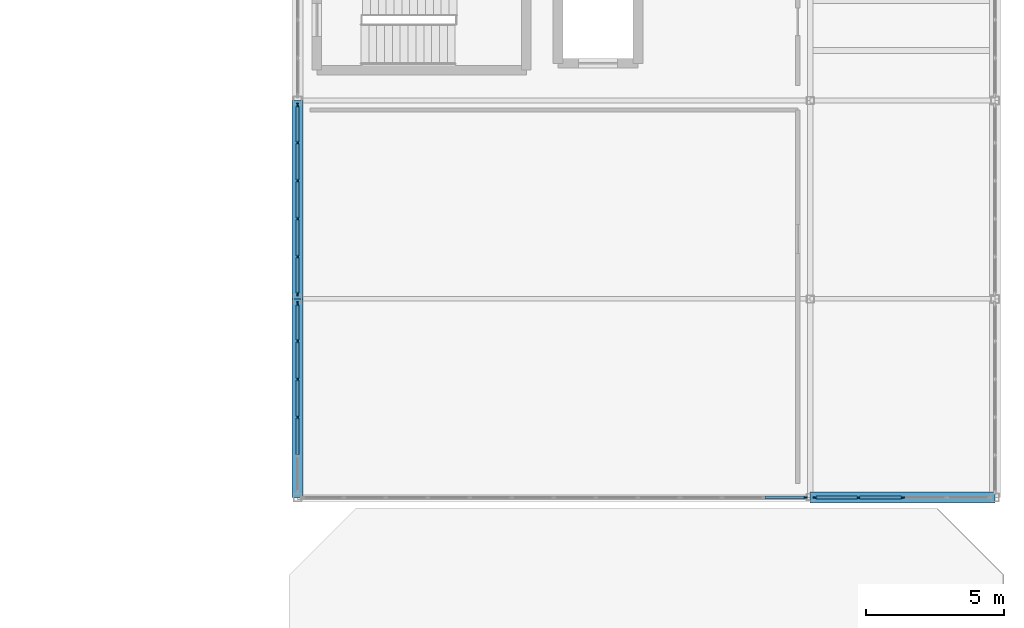
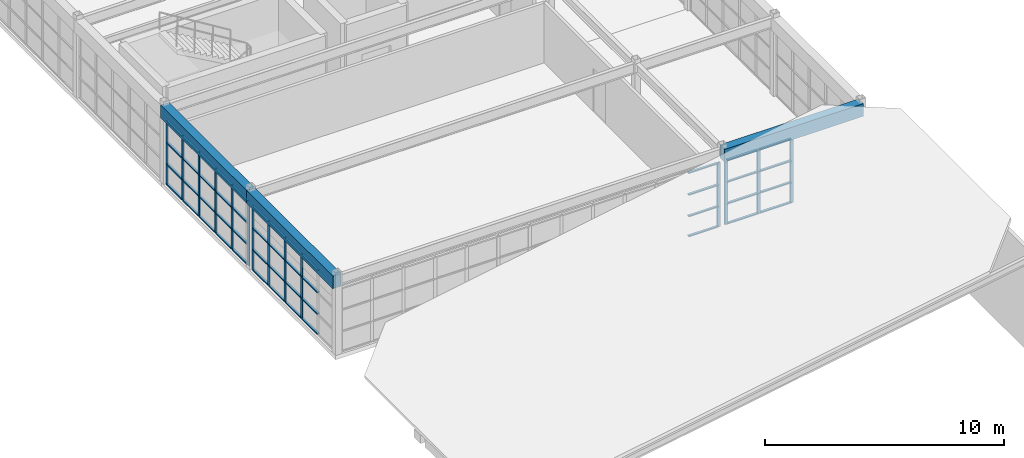
# One storey, part 27 of 52: 62 members, 3 beams, 4 elements without a shape of their own.
"""IFC4 building model written with IfcOpenShell, lengths in metres."""

from ifc_helpers import new_model, si_unit, direction, frame, origin, origin_2d, place, context, subcontext, project, spatial, rectangle, extrude, material, layer, layer_set, material_profile, profile_set, type_object, element, aggregate, save


model = new_model("IFC4")

# Units and contexts
model_context = context("Model", 3, precision=1e-05, world=origin(), true_north=direction((0.0, 1.0)))
body_context = subcontext(model_context, "Body", "Model", "MODEL_VIEW")
ifc_project = project(units=[si_unit("LENGTHUNIT", "METRE"), si_unit("AREAUNIT", "SQUARE_METRE"), si_unit("VOLUMEUNIT", "CUBIC_METRE"), si_unit("PLANEANGLEUNIT", "RADIAN"), si_unit("MASSUNIT", "GRAM", prefix="KILO")], contexts=[model_context])

# Site, building, storey
site_placement = place(None, origin())
site = spatial("IfcSite", under=ifc_project, at=site_placement, CompositionType="ELEMENT")
building_placement = place(site_placement, origin())
building = spatial("IfcBuilding", under=site, at=building_placement, Name="Candilejo Ridge Gondola Terminal", CompositionType="ELEMENT")
storey_placement = place(building_placement, frame((0.0, 0.0, 18.60009765625)))
storey = spatial("IfcBuildingStorey", under=building, at=storey_placement, Name="L04", CompositionType="ELEMENT", Elevation=18.60009765625)

# Curtain wall, members
ifc_material_1 = material(Name="Anodised aluminium AA 6063-T6", Category="aluminium")
ifc_layer_1 = layer(ifc_material_1, 0.169921875)
ifc_layer_set_1 = layer_set([ifc_layer_1], Name="ARC-CW-TOWER-3000-690X329")
curtain_wall_type_1 = type_object("IfcCurtainWallType", Name="ARC-CW-TOWER-3000-690X329", PredefinedType="NOTDEFINED", material=ifc_layer_set_1)
curtain_wall_1_placement = place(storey_placement, origin())
curtain_wall_1 = element("IfcCurtainWall", 1, at=curtain_wall_1_placement, inside=storey, type_object=curtain_wall_type_1, Name="Curtain wall V5 L04-212", PredefinedType="NOTDEFINED")
ifc_material_2 = material(Name="Anodised aluminium AA 6063-T6", Category="aluminium")
ifc_material_profile_1 = material_profile(ifc_material_2, rectangle(XDim=0.06494140625, YDim=0.14990234375, at=origin_2d()))
ifc_profile_set_1 = profile_set([ifc_material_profile_1], Name="Anodised aluminium AA 6063-T6")
member_type_1 = type_object("IfcMemberType", Name="ARC-CW-MULLION-150", PredefinedType="MULLION", material=ifc_profile_set_1)
member_1_placement = place(storey_placement, frame((150.0, 87.56005859375, 0.0), z_axis=(0.0, 0.0, 1.0), x_axis=(-1.0, 0.0, 0.0)))
member_1 = element("IfcMember", 2, at=member_1_placement, type_object=member_type_1, Name="CW-69X32 mullion 3", PredefinedType="MULLION", context=body_context, shape_type="SweptSolid", body=[
    extrude(rectangle(XDim=0.06494140625, YDim=0.14990234375, at=origin_2d()), origin(), (0.0, 0.0, 1.0), 3.289794921875),
])
member_2_placement = place(storey_placement, frame((150.0, 88.93994140625, 0.0), z_axis=(0.0, 0.0, 1.0), x_axis=(-1.0, 0.0, 0.0)))
member_2 = element("IfcMember", 3, at=member_2_placement, type_object=member_type_1, Name="CW-69X32 mullion 4", PredefinedType="MULLION", context=body_context, shape_type="SweptSolid", body=[
    extrude(rectangle(XDim=0.06494140625, YDim=0.14990234375, at=origin_2d()), origin(), (0.0, 0.0, 1.0), 3.289794921875),
])
member_3_placement = place(storey_placement, frame((150.0, 90.320068359375, 0.0), z_axis=(0.0, 0.0, 1.0), x_axis=(-1.0, 0.0, 0.0)))
member_3 = element("IfcMember", 4, at=member_3_placement, type_object=member_type_1, Name="CW-69X32 mullion 5", PredefinedType="MULLION", context=body_context, shape_type="SweptSolid", body=[
    extrude(rectangle(XDim=0.06494140625, YDim=0.14990234375, at=origin_2d()), origin(), (0.0, 0.0, 1.0), 3.289794921875),
])
member_4_placement = place(storey_placement, frame((150.0, 91.66748046875, 0.0), z_axis=(0.0, 0.0, 1.0), x_axis=(-1.0, 0.0, 0.0)))
member_4 = element("IfcMember", 5, at=member_4_placement, type_object=member_type_1, Name="CW-69X32 mullion 6", PredefinedType="MULLION", context=body_context, shape_type="SweptSolid", body=[
    extrude(rectangle(XDim=0.06494140625, YDim=0.14990234375, at=origin_2d()), origin(), (0.0, 0.0, 1.0), 3.289794921875),
])

curtain_wall_2_placement = place(storey_placement, origin())
curtain_wall_2 = element("IfcCurtainWall", 6, at=curtain_wall_2_placement, inside=storey, type_object=curtain_wall_type_1, Name="Curtain wall V5 L04-214", PredefinedType="NOTDEFINED")
member_5_placement = place(storey_placement, frame((150.0, 92.032470703125, 0.0), z_axis=(0.0, 0.0, 1.0), x_axis=(-1.0, 0.0, 0.0)))
member_5 = element("IfcMember", 7, at=member_5_placement, type_object=member_type_1, Name="CW-69X32 mullion 1", PredefinedType="MULLION", context=body_context, shape_type="SweptSolid", body=[
    extrude(rectangle(XDim=0.06494140625, YDim=0.14990234375, at=origin_2d()), origin(), (0.0, 0.0, 1.0), 3.289794921875),
])
member_6_placement = place(storey_placement, frame((150.0, 93.3798828125, 0.0), z_axis=(0.0, 0.0, 1.0), x_axis=(-1.0, 0.0, 0.0)))
member_6 = element("IfcMember", 8, at=member_6_placement, type_object=member_type_1, Name="CW-69X32 mullion 2", PredefinedType="MULLION", context=body_context, shape_type="SweptSolid", body=[
    extrude(rectangle(XDim=0.06494140625, YDim=0.14990234375, at=origin_2d()), origin(), (0.0, 0.0, 1.0), 3.289794921875),
])
member_7_placement = place(storey_placement, frame((150.0, 94.760009765625, 0.0), z_axis=(0.0, 0.0, 1.0), x_axis=(-1.0, 0.0, 0.0)))
member_7 = element("IfcMember", 9, at=member_7_placement, type_object=member_type_1, Name="CW-69X32 mullion 3", PredefinedType="MULLION", context=body_context, shape_type="SweptSolid", body=[
    extrude(rectangle(XDim=0.06494140625, YDim=0.14990234375, at=origin_2d()), origin(), (0.0, 0.0, 1.0), 3.289794921875),
])
member_8_placement = place(storey_placement, frame((150.0, 96.139892578125, 0.0), z_axis=(0.0, 0.0, 1.0), x_axis=(-1.0, 0.0, 0.0)))
member_8 = element("IfcMember", 10, at=member_8_placement, type_object=member_type_1, Name="CW-69X32 mullion 4", PredefinedType="MULLION", context=body_context, shape_type="SweptSolid", body=[
    extrude(rectangle(XDim=0.06494140625, YDim=0.14990234375, at=origin_2d()), origin(), (0.0, 0.0, 1.0), 3.289794921875),
])
member_9_placement = place(storey_placement, frame((150.0, 97.52001953125, 0.0), z_axis=(0.0, 0.0, 1.0), x_axis=(-1.0, 0.0, 0.0)))
member_9 = element("IfcMember", 11, at=member_9_placement, type_object=member_type_1, Name="CW-69X32 mullion 5", PredefinedType="MULLION", context=body_context, shape_type="SweptSolid", body=[
    extrude(rectangle(XDim=0.06494140625, YDim=0.14990234375, at=origin_2d()), origin(), (0.0, 0.0, 1.0), 3.289794921875),
])
member_10_placement = place(storey_placement, frame((150.0, 98.867431640625, 0.0), z_axis=(0.0, 0.0, 1.0), x_axis=(-1.0, 0.0, 0.0)))
member_10 = element("IfcMember", 12, at=member_10_placement, type_object=member_type_1, Name="CW-69X32 mullion 6", PredefinedType="MULLION", context=body_context, shape_type="SweptSolid", body=[
    extrude(rectangle(XDim=0.06494140625, YDim=0.14990234375, at=origin_2d()), origin(), (0.0, 0.0, 1.0), 3.289794921875),
])

# Curtain wall, member
ifc_material_3 = material(Name="Anodised aluminium AA 6063-T6", Category="aluminium")
ifc_layer_2 = layer(ifc_material_3, 0.169921875)
ifc_layer_set_2 = layer_set([ifc_layer_2], Name="ARC-CW-TOWER-3000-1830X329")
curtain_wall_type_2 = type_object("IfcCurtainWallType", Name="ARC-CW-TOWER-3000-1830X329", PredefinedType="NOTDEFINED", material=ifc_layer_set_2)
curtain_wall_3_placement = place(storey_placement, origin())
curtain_wall_3 = element("IfcCurtainWall", 13, at=curtain_wall_3_placement, inside=storey, type_object=curtain_wall_type_2, Name="Curtain wall V5 L04-222", PredefinedType="NOTDEFINED")
member_11_placement = place(storey_placement, frame((168.41748046875, 84.64990234375, 0.0), z_axis=(0.0, 0.0, 1.0), x_axis=(0.0, 1.0, 0.0)))
member_11 = element("IfcMember", 14, at=member_11_placement, type_object=member_type_1, Name="CW-183X32 mullion 13", PredefinedType="MULLION", context=body_context, shape_type="SweptSolid", body=[
    extrude(rectangle(XDim=0.06494140625, YDim=0.14990234375, at=origin_2d()), origin(), (0.0, 0.0, 1.0), 3.289794921875),
])

# Curtain wall, members
ifc_material_4 = material(Name="Anodised aluminium AA 6063-T6", Category="aluminium")
ifc_layer_3 = layer(ifc_material_4, 0.169921875)
ifc_layer_set_3 = layer_set([ifc_layer_3], Name="ARC-CW-TOWER-3000-640X329")
curtain_wall_type_3 = type_object("IfcCurtainWallType", Name="ARC-CW-TOWER-3000-640X329", PredefinedType="NOTDEFINED", material=ifc_layer_set_3)
curtain_wall_4_placement = place(storey_placement, origin())
curtain_wall_4 = element("IfcCurtainWall", 15, at=curtain_wall_4_placement, inside=storey, type_object=curtain_wall_type_3, Name="Curtain wall V5 L04-224", PredefinedType="NOTDEFINED")
member_12_placement = place(storey_placement, frame((168.782470703125, 84.64990234375, 0.0), z_axis=(0.0, 0.0, 1.0), x_axis=(0.0, 1.0, 0.0)))
member_12 = element("IfcMember", 16, at=member_12_placement, type_object=member_type_1, Name="CW-64X32 mullion 1", PredefinedType="MULLION", context=body_context, shape_type="SweptSolid", body=[
    extrude(rectangle(XDim=0.06494140625, YDim=0.14990234375, at=origin_2d()), origin(), (0.0, 0.0, 1.0), 3.289794921875),
])
member_13_placement = place(storey_placement, frame((170.35009765625, 84.64990234375, 0.0), z_axis=(0.0, 0.0, 1.0), x_axis=(0.0, 1.0, 0.0)))
member_13 = element("IfcMember", 17, at=member_13_placement, type_object=member_type_1, Name="CW-64X32 mullion 2", PredefinedType="MULLION", context=body_context, shape_type="SweptSolid", body=[
    extrude(rectangle(XDim=0.06494140625, YDim=0.14990234375, at=origin_2d()), origin(), (0.0, 0.0, 1.0), 3.289794921875),
])
member_14_placement = place(storey_placement, frame((171.949951171875, 84.64990234375, 0.0), z_axis=(0.0, 0.0, 1.0), x_axis=(0.0, 1.0, 0.0)))
member_14 = element("IfcMember", 18, at=member_14_placement, type_object=member_type_1, Name="CW-64X32 mullion 3", PredefinedType="MULLION", context=body_context, shape_type="SweptSolid", body=[
    extrude(rectangle(XDim=0.06494140625, YDim=0.14990234375, at=origin_2d()), origin(), (0.0, 0.0, 1.0), 3.289794921875),
])

# Member
ifc_material_5 = material(Name="Anodised aluminium AA 6063-T6", Category="aluminium")
ifc_material_profile_2 = material_profile(ifc_material_5, rectangle(XDim=0.110107421875, YDim=0.06005859375, at=origin_2d()))
ifc_profile_set_2 = profile_set([ifc_material_profile_2], Name="Anodised aluminium AA 6063-T6")
member_type_2 = type_object("IfcMemberType", Name="ARC-CW-TRANSOM-110", PredefinedType="USERDEFINED", material=ifc_profile_set_2)
member_15_placement = place(storey_placement, frame((150.0, 86.21240234375, 0.02978515625), z_axis=(0.0, 1.0, 0.0), x_axis=(-1.0, 0.0, 0.0)))
member_15 = element("IfcMember", 19, at=member_15_placement, type_object=member_type_2, Name="CW-69X32 transom 2.1", ObjectType="TRANSOM", PredefinedType="USERDEFINED", context=body_context, shape_type="SweptSolid", body=[
    extrude(rectangle(XDim=0.110107421875, YDim=0.06005859375, at=origin_2d()), origin(), (0.0, 0.0, 1.0), 1.315185546875),
])

member_16_placement = place(storey_placement, frame((150.0, 86.21240234375, 1.0498046875), z_axis=(0.0, 1.0, 0.0), x_axis=(-1.0, 0.0, 0.0)))
member_16 = element("IfcMember", 20, at=member_16_placement, type_object=member_type_2, Name="CW-69X32 transom 2.2", ObjectType="TRANSOM", PredefinedType="USERDEFINED", context=body_context, shape_type="SweptSolid", body=[
    extrude(rectangle(XDim=0.110107421875, YDim=0.06005859375, at=origin_2d()), origin(), (0.0, 0.0, 1.0), 1.315185546875),
])

member_17_placement = place(storey_placement, frame((150.0, 86.21240234375, 2.14990234375), z_axis=(0.0, 1.0, 0.0), x_axis=(-1.0, 0.0, 0.0)))
member_17 = element("IfcMember", 21, at=member_17_placement, type_object=member_type_2, Name="CW-69X32 transom 2.3", ObjectType="TRANSOM", PredefinedType="USERDEFINED", context=body_context, shape_type="SweptSolid", body=[
    extrude(rectangle(XDim=0.110107421875, YDim=0.06005859375, at=origin_2d()), origin(), (0.0, 0.0, 1.0), 1.315185546875),
])

member_18_placement = place(storey_placement, frame((150.0, 86.21240234375, 3.260009765625), z_axis=(0.0, 1.0, 0.0), x_axis=(-1.0, 0.0, 0.0)))
member_18 = element("IfcMember", 22, at=member_18_placement, type_object=member_type_2, Name="CW-69X32 transom 2.4", ObjectType="TRANSOM", PredefinedType="USERDEFINED", context=body_context, shape_type="SweptSolid", body=[
    extrude(rectangle(XDim=0.110107421875, YDim=0.06005859375, at=origin_2d()), origin(), (0.0, 0.0, 1.0), 1.315185546875),
])

member_19_placement = place(storey_placement, frame((150.0, 87.592529296875, 0.02978515625), z_axis=(0.0, 1.0, 0.0), x_axis=(-1.0, 0.0, 0.0)))
member_19 = element("IfcMember", 23, at=member_19_placement, type_object=member_type_2, Name="CW-69X32 transom 3.1", ObjectType="TRANSOM", PredefinedType="USERDEFINED", context=body_context, shape_type="SweptSolid", body=[
    extrude(rectangle(XDim=0.110107421875, YDim=0.06005859375, at=origin_2d()), origin(), (0.0, 0.0, 1.0), 1.31494140625),
])

member_20_placement = place(storey_placement, frame((150.0, 87.592529296875, 1.0498046875), z_axis=(0.0, 1.0, 0.0), x_axis=(-1.0, 0.0, 0.0)))
member_20 = element("IfcMember", 24, at=member_20_placement, type_object=member_type_2, Name="CW-69X32 transom 3.2", ObjectType="TRANSOM", PredefinedType="USERDEFINED", context=body_context, shape_type="SweptSolid", body=[
    extrude(rectangle(XDim=0.110107421875, YDim=0.06005859375, at=origin_2d()), origin(), (0.0, 0.0, 1.0), 1.31494140625),
])

member_21_placement = place(storey_placement, frame((150.0, 87.592529296875, 2.14990234375), z_axis=(0.0, 1.0, 0.0), x_axis=(-1.0, 0.0, 0.0)))
member_21 = element("IfcMember", 25, at=member_21_placement, type_object=member_type_2, Name="CW-69X32 transom 3.3", ObjectType="TRANSOM", PredefinedType="USERDEFINED", context=body_context, shape_type="SweptSolid", body=[
    extrude(rectangle(XDim=0.110107421875, YDim=0.06005859375, at=origin_2d()), origin(), (0.0, 0.0, 1.0), 1.31494140625),
])

member_22_placement = place(storey_placement, frame((150.0, 87.592529296875, 3.260009765625), z_axis=(0.0, 1.0, 0.0), x_axis=(-1.0, 0.0, 0.0)))
member_22 = element("IfcMember", 26, at=member_22_placement, type_object=member_type_2, Name="CW-69X32 transom 3.4", ObjectType="TRANSOM", PredefinedType="USERDEFINED", context=body_context, shape_type="SweptSolid", body=[
    extrude(rectangle(XDim=0.110107421875, YDim=0.06005859375, at=origin_2d()), origin(), (0.0, 0.0, 1.0), 1.31494140625),
])

member_23_placement = place(storey_placement, frame((150.0, 88.972412109375, 0.02978515625), z_axis=(0.0, 1.0, 0.0), x_axis=(-1.0, 0.0, 0.0)))
member_23 = element("IfcMember", 27, at=member_23_placement, type_object=member_type_2, Name="CW-69X32 transom 4.1", ObjectType="TRANSOM", PredefinedType="USERDEFINED", context=body_context, shape_type="SweptSolid", body=[
    extrude(rectangle(XDim=0.110107421875, YDim=0.06005859375, at=origin_2d()), origin(), (0.0, 0.0, 1.0), 1.315185546875),
])

member_24_placement = place(storey_placement, frame((150.0, 88.972412109375, 1.0498046875), z_axis=(0.0, 1.0, 0.0), x_axis=(-1.0, 0.0, 0.0)))
member_24 = element("IfcMember", 28, at=member_24_placement, type_object=member_type_2, Name="CW-69X32 transom 4.2", ObjectType="TRANSOM", PredefinedType="USERDEFINED", context=body_context, shape_type="SweptSolid", body=[
    extrude(rectangle(XDim=0.110107421875, YDim=0.06005859375, at=origin_2d()), origin(), (0.0, 0.0, 1.0), 1.315185546875),
])

member_25_placement = place(storey_placement, frame((150.0, 88.972412109375, 2.14990234375), z_axis=(0.0, 1.0, 0.0), x_axis=(-1.0, 0.0, 0.0)))
member_25 = element("IfcMember", 29, at=member_25_placement, type_object=member_type_2, Name="CW-69X32 transom 4.3", ObjectType="TRANSOM", PredefinedType="USERDEFINED", context=body_context, shape_type="SweptSolid", body=[
    extrude(rectangle(XDim=0.110107421875, YDim=0.06005859375, at=origin_2d()), origin(), (0.0, 0.0, 1.0), 1.315185546875),
])

member_26_placement = place(storey_placement, frame((150.0, 88.972412109375, 3.260009765625), z_axis=(0.0, 1.0, 0.0), x_axis=(-1.0, 0.0, 0.0)))
member_26 = element("IfcMember", 30, at=member_26_placement, type_object=member_type_2, Name="CW-69X32 transom 4.4", ObjectType="TRANSOM", PredefinedType="USERDEFINED", context=body_context, shape_type="SweptSolid", body=[
    extrude(rectangle(XDim=0.110107421875, YDim=0.06005859375, at=origin_2d()), origin(), (0.0, 0.0, 1.0), 1.315185546875),
])

member_27_placement = place(storey_placement, frame((150.0, 90.3525390625, 0.02978515625), z_axis=(0.0, 1.0, 0.0), x_axis=(-1.0, 0.0, 0.0)))
member_27 = element("IfcMember", 31, at=member_27_placement, type_object=member_type_2, Name="CW-69X32 transom 5.1", ObjectType="TRANSOM", PredefinedType="USERDEFINED", context=body_context, shape_type="SweptSolid", body=[
    extrude(rectangle(XDim=0.110107421875, YDim=0.06005859375, at=origin_2d()), origin(), (0.0, 0.0, 1.0), 1.282470703125),
])

member_28_placement = place(storey_placement, frame((150.0, 90.3525390625, 1.0498046875), z_axis=(0.0, 1.0, 0.0), x_axis=(-1.0, 0.0, 0.0)))
member_28 = element("IfcMember", 32, at=member_28_placement, type_object=member_type_2, Name="CW-69X32 transom 5.2", ObjectType="TRANSOM", PredefinedType="USERDEFINED", context=body_context, shape_type="SweptSolid", body=[
    extrude(rectangle(XDim=0.110107421875, YDim=0.06005859375, at=origin_2d()), origin(), (0.0, 0.0, 1.0), 1.282470703125),
])

member_29_placement = place(storey_placement, frame((150.0, 90.3525390625, 2.14990234375), z_axis=(0.0, 1.0, 0.0), x_axis=(-1.0, 0.0, 0.0)))
member_29 = element("IfcMember", 33, at=member_29_placement, type_object=member_type_2, Name="CW-69X32 transom 5.3", ObjectType="TRANSOM", PredefinedType="USERDEFINED", context=body_context, shape_type="SweptSolid", body=[
    extrude(rectangle(XDim=0.110107421875, YDim=0.06005859375, at=origin_2d()), origin(), (0.0, 0.0, 1.0), 1.282470703125),
])

member_30_placement = place(storey_placement, frame((150.0, 90.3525390625, 3.260009765625), z_axis=(0.0, 1.0, 0.0), x_axis=(-1.0, 0.0, 0.0)))
member_30 = element("IfcMember", 34, at=member_30_placement, type_object=member_type_2, Name="CW-69X32 transom 5.4", ObjectType="TRANSOM", PredefinedType="USERDEFINED", context=body_context, shape_type="SweptSolid", body=[
    extrude(rectangle(XDim=0.110107421875, YDim=0.06005859375, at=origin_2d()), origin(), (0.0, 0.0, 1.0), 1.282470703125),
])

aggregate(curtain_wall_1, [member_1, member_2, member_3, member_4, member_15, member_16, member_17, member_18, member_19, member_20, member_21, member_22, member_23, member_24, member_25, member_26, member_27, member_28, member_29, member_30])

member_31_placement = place(storey_placement, frame((150.0, 92.06494140625, 0.02978515625), z_axis=(0.0, 1.0, 0.0), x_axis=(-1.0, 0.0, 0.0)))
member_31 = element("IfcMember", 35, at=member_31_placement, type_object=member_type_2, Name="CW-69X32 transom 1.1", ObjectType="TRANSOM", PredefinedType="USERDEFINED", context=body_context, shape_type="SweptSolid", body=[
    extrude(rectangle(XDim=0.110107421875, YDim=0.06005859375, at=origin_2d()), origin(), (0.0, 0.0, 1.0), 1.282470703125),
])

member_32_placement = place(storey_placement, frame((150.0, 92.06494140625, 1.0498046875), z_axis=(0.0, 1.0, 0.0), x_axis=(-1.0, 0.0, 0.0)))
member_32 = element("IfcMember", 36, at=member_32_placement, type_object=member_type_2, Name="CW-69X32 transom 1.2", ObjectType="TRANSOM", PredefinedType="USERDEFINED", context=body_context, shape_type="SweptSolid", body=[
    extrude(rectangle(XDim=0.110107421875, YDim=0.06005859375, at=origin_2d()), origin(), (0.0, 0.0, 1.0), 1.282470703125),
])

member_33_placement = place(storey_placement, frame((150.0, 92.06494140625, 2.14990234375), z_axis=(0.0, 1.0, 0.0), x_axis=(-1.0, 0.0, 0.0)))
member_33 = element("IfcMember", 37, at=member_33_placement, type_object=member_type_2, Name="CW-69X32 transom 1.3", ObjectType="TRANSOM", PredefinedType="USERDEFINED", context=body_context, shape_type="SweptSolid", body=[
    extrude(rectangle(XDim=0.110107421875, YDim=0.06005859375, at=origin_2d()), origin(), (0.0, 0.0, 1.0), 1.282470703125),
])

member_34_placement = place(storey_placement, frame((150.0, 92.06494140625, 3.260009765625), z_axis=(0.0, 1.0, 0.0), x_axis=(-1.0, 0.0, 0.0)))
member_34 = element("IfcMember", 38, at=member_34_placement, type_object=member_type_2, Name="CW-69X32 transom 1.4", ObjectType="TRANSOM", PredefinedType="USERDEFINED", context=body_context, shape_type="SweptSolid", body=[
    extrude(rectangle(XDim=0.110107421875, YDim=0.06005859375, at=origin_2d()), origin(), (0.0, 0.0, 1.0), 1.282470703125),
])

member_35_placement = place(storey_placement, frame((150.0, 93.41259765625, 0.02978515625), z_axis=(0.0, 1.0, 0.0), x_axis=(-1.0, 0.0, 0.0)))
member_35 = element("IfcMember", 39, at=member_35_placement, type_object=member_type_2, Name="CW-69X32 transom 2.1", ObjectType="TRANSOM", PredefinedType="USERDEFINED", context=body_context, shape_type="SweptSolid", body=[
    extrude(rectangle(XDim=0.110107421875, YDim=0.06005859375, at=origin_2d()), origin(), (0.0, 0.0, 1.0), 1.31494140625),
])

member_36_placement = place(storey_placement, frame((150.0, 93.41259765625, 1.0498046875), z_axis=(0.0, 1.0, 0.0), x_axis=(-1.0, 0.0, 0.0)))
member_36 = element("IfcMember", 40, at=member_36_placement, type_object=member_type_2, Name="CW-69X32 transom 2.2", ObjectType="TRANSOM", PredefinedType="USERDEFINED", context=body_context, shape_type="SweptSolid", body=[
    extrude(rectangle(XDim=0.110107421875, YDim=0.06005859375, at=origin_2d()), origin(), (0.0, 0.0, 1.0), 1.31494140625),
])

member_37_placement = place(storey_placement, frame((150.0, 93.41259765625, 2.14990234375), z_axis=(0.0, 1.0, 0.0), x_axis=(-1.0, 0.0, 0.0)))
member_37 = element("IfcMember", 41, at=member_37_placement, type_object=member_type_2, Name="CW-69X32 transom 2.3", ObjectType="TRANSOM", PredefinedType="USERDEFINED", context=body_context, shape_type="SweptSolid", body=[
    extrude(rectangle(XDim=0.110107421875, YDim=0.06005859375, at=origin_2d()), origin(), (0.0, 0.0, 1.0), 1.31494140625),
])

member_38_placement = place(storey_placement, frame((150.0, 93.41259765625, 3.260009765625), z_axis=(0.0, 1.0, 0.0), x_axis=(-1.0, 0.0, 0.0)))
member_38 = element("IfcMember", 42, at=member_38_placement, type_object=member_type_2, Name="CW-69X32 transom 2.4", ObjectType="TRANSOM", PredefinedType="USERDEFINED", context=body_context, shape_type="SweptSolid", body=[
    extrude(rectangle(XDim=0.110107421875, YDim=0.06005859375, at=origin_2d()), origin(), (0.0, 0.0, 1.0), 1.31494140625),
])

member_39_placement = place(storey_placement, frame((150.0, 94.79248046875, 0.02978515625), z_axis=(0.0, 1.0, 0.0), x_axis=(-1.0, 0.0, 0.0)))
member_39 = element("IfcMember", 43, at=member_39_placement, type_object=member_type_2, Name="CW-69X32 transom 3.1", ObjectType="TRANSOM", PredefinedType="USERDEFINED", context=body_context, shape_type="SweptSolid", body=[
    extrude(rectangle(XDim=0.110107421875, YDim=0.06005859375, at=origin_2d()), origin(), (0.0, 0.0, 1.0), 1.31494140625),
])

member_40_placement = place(storey_placement, frame((150.0, 94.79248046875, 1.0498046875), z_axis=(0.0, 1.0, 0.0), x_axis=(-1.0, 0.0, 0.0)))
member_40 = element("IfcMember", 44, at=member_40_placement, type_object=member_type_2, Name="CW-69X32 transom 3.2", ObjectType="TRANSOM", PredefinedType="USERDEFINED", context=body_context, shape_type="SweptSolid", body=[
    extrude(rectangle(XDim=0.110107421875, YDim=0.06005859375, at=origin_2d()), origin(), (0.0, 0.0, 1.0), 1.31494140625),
])

member_41_placement = place(storey_placement, frame((150.0, 94.79248046875, 2.14990234375), z_axis=(0.0, 1.0, 0.0), x_axis=(-1.0, 0.0, 0.0)))
member_41 = element("IfcMember", 45, at=member_41_placement, type_object=member_type_2, Name="CW-69X32 transom 3.3", ObjectType="TRANSOM", PredefinedType="USERDEFINED", context=body_context, shape_type="SweptSolid", body=[
    extrude(rectangle(XDim=0.110107421875, YDim=0.06005859375, at=origin_2d()), origin(), (0.0, 0.0, 1.0), 1.31494140625),
])

member_42_placement = place(storey_placement, frame((150.0, 94.79248046875, 3.260009765625), z_axis=(0.0, 1.0, 0.0), x_axis=(-1.0, 0.0, 0.0)))
member_42 = element("IfcMember", 46, at=member_42_placement, type_object=member_type_2, Name="CW-69X32 transom 3.4", ObjectType="TRANSOM", PredefinedType="USERDEFINED", context=body_context, shape_type="SweptSolid", body=[
    extrude(rectangle(XDim=0.110107421875, YDim=0.06005859375, at=origin_2d()), origin(), (0.0, 0.0, 1.0), 1.31494140625),
])

member_43_placement = place(storey_placement, frame((150.0, 96.172607421875, 0.02978515625), z_axis=(0.0, 1.0, 0.0), x_axis=(-1.0, 0.0, 0.0)))
member_43 = element("IfcMember", 47, at=member_43_placement, type_object=member_type_2, Name="CW-69X32 transom 4.1", ObjectType="TRANSOM", PredefinedType="USERDEFINED", context=body_context, shape_type="SweptSolid", body=[
    extrude(rectangle(XDim=0.110107421875, YDim=0.06005859375, at=origin_2d()), origin(), (0.0, 0.0, 1.0), 1.31494140625),
])

member_44_placement = place(storey_placement, frame((150.0, 96.172607421875, 1.0498046875), z_axis=(0.0, 1.0, 0.0), x_axis=(-1.0, 0.0, 0.0)))
member_44 = element("IfcMember", 48, at=member_44_placement, type_object=member_type_2, Name="CW-69X32 transom 4.2", ObjectType="TRANSOM", PredefinedType="USERDEFINED", context=body_context, shape_type="SweptSolid", body=[
    extrude(rectangle(XDim=0.110107421875, YDim=0.06005859375, at=origin_2d()), origin(), (0.0, 0.0, 1.0), 1.31494140625),
])

member_45_placement = place(storey_placement, frame((150.0, 96.172607421875, 2.14990234375), z_axis=(0.0, 1.0, 0.0), x_axis=(-1.0, 0.0, 0.0)))
member_45 = element("IfcMember", 49, at=member_45_placement, type_object=member_type_2, Name="CW-69X32 transom 4.3", ObjectType="TRANSOM", PredefinedType="USERDEFINED", context=body_context, shape_type="SweptSolid", body=[
    extrude(rectangle(XDim=0.110107421875, YDim=0.06005859375, at=origin_2d()), origin(), (0.0, 0.0, 1.0), 1.31494140625),
])

member_46_placement = place(storey_placement, frame((150.0, 96.172607421875, 3.260009765625), z_axis=(0.0, 1.0, 0.0), x_axis=(-1.0, 0.0, 0.0)))
member_46 = element("IfcMember", 50, at=member_46_placement, type_object=member_type_2, Name="CW-69X32 transom 4.4", ObjectType="TRANSOM", PredefinedType="USERDEFINED", context=body_context, shape_type="SweptSolid", body=[
    extrude(rectangle(XDim=0.110107421875, YDim=0.06005859375, at=origin_2d()), origin(), (0.0, 0.0, 1.0), 1.31494140625),
])

member_47_placement = place(storey_placement, frame((150.0, 97.552490234375, 0.02978515625), z_axis=(0.0, 1.0, 0.0), x_axis=(-1.0, 0.0, 0.0)))
member_47 = element("IfcMember", 51, at=member_47_placement, type_object=member_type_2, Name="CW-69X32 transom 5.1", ObjectType="TRANSOM", PredefinedType="USERDEFINED", context=body_context, shape_type="SweptSolid", body=[
    extrude(rectangle(XDim=0.110107421875, YDim=0.06005859375, at=origin_2d()), origin(), (0.0, 0.0, 1.0), 1.282470703125),
])

member_48_placement = place(storey_placement, frame((150.0, 97.552490234375, 1.0498046875), z_axis=(0.0, 1.0, 0.0), x_axis=(-1.0, 0.0, 0.0)))
member_48 = element("IfcMember", 52, at=member_48_placement, type_object=member_type_2, Name="CW-69X32 transom 5.2", ObjectType="TRANSOM", PredefinedType="USERDEFINED", context=body_context, shape_type="SweptSolid", body=[
    extrude(rectangle(XDim=0.110107421875, YDim=0.06005859375, at=origin_2d()), origin(), (0.0, 0.0, 1.0), 1.282470703125),
])

member_49_placement = place(storey_placement, frame((150.0, 97.552490234375, 2.14990234375), z_axis=(0.0, 1.0, 0.0), x_axis=(-1.0, 0.0, 0.0)))
member_49 = element("IfcMember", 53, at=member_49_placement, type_object=member_type_2, Name="CW-69X32 transom 5.3", ObjectType="TRANSOM", PredefinedType="USERDEFINED", context=body_context, shape_type="SweptSolid", body=[
    extrude(rectangle(XDim=0.110107421875, YDim=0.06005859375, at=origin_2d()), origin(), (0.0, 0.0, 1.0), 1.282470703125),
])

member_50_placement = place(storey_placement, frame((150.0, 97.552490234375, 3.260009765625), z_axis=(0.0, 1.0, 0.0), x_axis=(-1.0, 0.0, 0.0)))
member_50 = element("IfcMember", 54, at=member_50_placement, type_object=member_type_2, Name="CW-69X32 transom 5.4", ObjectType="TRANSOM", PredefinedType="USERDEFINED", context=body_context, shape_type="SweptSolid", body=[
    extrude(rectangle(XDim=0.110107421875, YDim=0.06005859375, at=origin_2d()), origin(), (0.0, 0.0, 1.0), 1.282470703125),
])

aggregate(curtain_wall_2, [member_5, member_6, member_7, member_8, member_9, member_10, member_31, member_32, member_33, member_34, member_35, member_36, member_37, member_38, member_39, member_40, member_41, member_42, member_43, member_44, member_45, member_46, member_47, member_48, member_49, member_50])

member_51_placement = place(storey_placement, frame((166.95751953125, 84.64990234375, 0.02978515625), z_axis=(1.0, 0.0, 0.0), x_axis=(0.0, 1.0, 0.0)))
member_51 = element("IfcMember", 55, at=member_51_placement, type_object=member_type_2, Name="CW-183X32 transom 12.1", ObjectType="TRANSOM", PredefinedType="USERDEFINED", context=body_context, shape_type="SweptSolid", body=[
    extrude(rectangle(XDim=0.110107421875, YDim=0.06005859375, at=origin_2d()), origin(), (0.0, 0.0, 1.0), 1.427490234375),
])

member_52_placement = place(storey_placement, frame((166.95751953125, 84.64990234375, 1.0498046875), z_axis=(1.0, 0.0, 0.0), x_axis=(0.0, 1.0, 0.0)))
member_52 = element("IfcMember", 56, at=member_52_placement, type_object=member_type_2, Name="CW-183X32 transom 12.2", ObjectType="TRANSOM", PredefinedType="USERDEFINED", context=body_context, shape_type="SweptSolid", body=[
    extrude(rectangle(XDim=0.110107421875, YDim=0.06005859375, at=origin_2d()), origin(), (0.0, 0.0, 1.0), 1.427490234375),
])

member_53_placement = place(storey_placement, frame((166.95751953125, 84.64990234375, 2.14990234375), z_axis=(1.0, 0.0, 0.0), x_axis=(0.0, 1.0, 0.0)))
member_53 = element("IfcMember", 57, at=member_53_placement, type_object=member_type_2, Name="CW-183X32 transom 12.3", ObjectType="TRANSOM", PredefinedType="USERDEFINED", context=body_context, shape_type="SweptSolid", body=[
    extrude(rectangle(XDim=0.110107421875, YDim=0.06005859375, at=origin_2d()), origin(), (0.0, 0.0, 1.0), 1.427490234375),
])

member_54_placement = place(storey_placement, frame((166.95751953125, 84.64990234375, 3.260009765625), z_axis=(1.0, 0.0, 0.0), x_axis=(0.0, 1.0, 0.0)))
member_54 = element("IfcMember", 58, at=member_54_placement, type_object=member_type_2, Name="CW-183X32 transom 12.4", ObjectType="TRANSOM", PredefinedType="USERDEFINED", context=body_context, shape_type="SweptSolid", body=[
    extrude(rectangle(XDim=0.110107421875, YDim=0.06005859375, at=origin_2d()), origin(), (0.0, 0.0, 1.0), 1.427490234375),
])

aggregate(curtain_wall_3, [member_11, member_51, member_52, member_53, member_54])

member_55_placement = place(storey_placement, frame((168.81494140625, 84.64990234375, 0.02978515625), z_axis=(1.0, 0.0, 0.0), x_axis=(0.0, 1.0, 0.0)))
member_55 = element("IfcMember", 59, at=member_55_placement, type_object=member_type_2, Name="CW-64X32 transom 1.1", ObjectType="TRANSOM", PredefinedType="USERDEFINED", context=body_context, shape_type="SweptSolid", body=[
    extrude(rectangle(XDim=0.110107421875, YDim=0.06005859375, at=origin_2d()), origin(), (0.0, 0.0, 1.0), 1.50244140625),
])

member_56_placement = place(storey_placement, frame((168.81494140625, 84.64990234375, 1.0498046875), z_axis=(1.0, 0.0, 0.0), x_axis=(0.0, 1.0, 0.0)))
member_56 = element("IfcMember", 60, at=member_56_placement, type_object=member_type_2, Name="CW-64X32 transom 1.2", ObjectType="TRANSOM", PredefinedType="USERDEFINED", context=body_context, shape_type="SweptSolid", body=[
    extrude(rectangle(XDim=0.110107421875, YDim=0.06005859375, at=origin_2d()), origin(), (0.0, 0.0, 1.0), 1.50244140625),
])

member_57_placement = place(storey_placement, frame((168.81494140625, 84.64990234375, 2.14990234375), z_axis=(1.0, 0.0, 0.0), x_axis=(0.0, 1.0, 0.0)))
member_57 = element("IfcMember", 61, at=member_57_placement, type_object=member_type_2, Name="CW-64X32 transom 1.3", ObjectType="TRANSOM", PredefinedType="USERDEFINED", context=body_context, shape_type="SweptSolid", body=[
    extrude(rectangle(XDim=0.110107421875, YDim=0.06005859375, at=origin_2d()), origin(), (0.0, 0.0, 1.0), 1.50244140625),
])

member_58_placement = place(storey_placement, frame((168.81494140625, 84.64990234375, 3.260009765625), z_axis=(1.0, 0.0, 0.0), x_axis=(0.0, 1.0, 0.0)))
member_58 = element("IfcMember", 62, at=member_58_placement, type_object=member_type_2, Name="CW-64X32 transom 1.4", ObjectType="TRANSOM", PredefinedType="USERDEFINED", context=body_context, shape_type="SweptSolid", body=[
    extrude(rectangle(XDim=0.110107421875, YDim=0.06005859375, at=origin_2d()), origin(), (0.0, 0.0, 1.0), 1.50244140625),
])

member_59_placement = place(storey_placement, frame((170.382568359375, 84.64990234375, 0.02978515625), z_axis=(1.0, 0.0, 0.0), x_axis=(0.0, 1.0, 0.0)))
member_59 = element("IfcMember", 63, at=member_59_placement, type_object=member_type_2, Name="CW-64X32 transom 2.1", ObjectType="TRANSOM", PredefinedType="USERDEFINED", context=body_context, shape_type="SweptSolid", body=[
    extrude(rectangle(XDim=0.110107421875, YDim=0.06005859375, at=origin_2d()), origin(), (0.0, 0.0, 1.0), 1.534912109375),
])

member_60_placement = place(storey_placement, frame((170.382568359375, 84.64990234375, 1.0498046875), z_axis=(1.0, 0.0, 0.0), x_axis=(0.0, 1.0, 0.0)))
member_60 = element("IfcMember", 64, at=member_60_placement, type_object=member_type_2, Name="CW-64X32 transom 2.2", ObjectType="TRANSOM", PredefinedType="USERDEFINED", context=body_context, shape_type="SweptSolid", body=[
    extrude(rectangle(XDim=0.110107421875, YDim=0.06005859375, at=origin_2d()), origin(), (0.0, 0.0, 1.0), 1.534912109375),
])

member_61_placement = place(storey_placement, frame((170.382568359375, 84.64990234375, 2.14990234375), z_axis=(1.0, 0.0, 0.0), x_axis=(0.0, 1.0, 0.0)))
member_61 = element("IfcMember", 65, at=member_61_placement, type_object=member_type_2, Name="CW-64X32 transom 2.3", ObjectType="TRANSOM", PredefinedType="USERDEFINED", context=body_context, shape_type="SweptSolid", body=[
    extrude(rectangle(XDim=0.110107421875, YDim=0.06005859375, at=origin_2d()), origin(), (0.0, 0.0, 1.0), 1.534912109375),
])

member_62_placement = place(storey_placement, frame((170.382568359375, 84.64990234375, 3.260009765625), z_axis=(1.0, 0.0, 0.0), x_axis=(0.0, 1.0, 0.0)))
member_62 = element("IfcMember", 66, at=member_62_placement, type_object=member_type_2, Name="CW-64X32 transom 2.4", ObjectType="TRANSOM", PredefinedType="USERDEFINED", context=body_context, shape_type="SweptSolid", body=[
    extrude(rectangle(XDim=0.110107421875, YDim=0.06005859375, at=origin_2d()), origin(), (0.0, 0.0, 1.0), 1.534912109375),
])

aggregate(curtain_wall_4, [member_12, member_13, member_14, member_55, member_56, member_57, member_58, member_59, member_60, member_61, member_62])

# Beams
ifc_material_6 = material(Name="Concrete f'c 35 MPa (C35/45)", Category="concrete")
ifc_material_profile_3 = material_profile(ifc_material_6, rectangle(XDim=0.39990234375, YDim=0.64990234375, at=origin_2d()))
ifc_profile_set_3 = profile_set([ifc_material_profile_3], Name="Concrete f'c 35 MPa (C35/45)")
beam_type = type_object("IfcBeamType", Name="STR-SPN-RC400X650", PredefinedType="SPANDREL", material=ifc_profile_set_3)
beam_1_placement = place(storey_placement, frame((168.60009765625, 84.64990234375, 3.664794921875), z_axis=(1.0, 0.0, 0.0), x_axis=(0.0, 1.0, 0.0)))
element("IfcBeam", 67, at=beam_1_placement, inside=storey, type_object=beam_type, Name="Beam X V5 L04 X25-X27@Y15", PredefinedType="SPANDREL", context=body_context, shape_type="SweptSolid", body=[
    extrude(rectangle(XDim=0.39990234375, YDim=0.64990234375, at=origin_2d()), origin(), (0.0, 0.0, 1.0), 6.699951171875),
])
beam_2_placement = place(storey_placement, frame((150.0, 84.64990234375, 3.664794921875), z_axis=(0.0, 1.0, 0.0), x_axis=(-1.0, 0.0, 0.0)))
element("IfcBeam", 68, at=beam_2_placement, inside=storey, type_object=beam_type, Name="Beam Y V5 L04 Y15-Y16@X23", PredefinedType="SPANDREL", context=body_context, shape_type="SweptSolid", body=[
    extrude(rectangle(XDim=0.39990234375, YDim=0.64990234375, at=origin_2d()), origin(), (0.0, 0.0, 1.0), 7.2001953125),
])
beam_3_placement = place(storey_placement, frame((150.0, 91.85009765625, 3.664794921875), z_axis=(0.0, 1.0, 0.0), x_axis=(-1.0, 0.0, 0.0)))
element("IfcBeam", 69, at=beam_3_placement, inside=storey, type_object=beam_type, Name="Beam Y V5 L04 Y16-Y17@X23", PredefinedType="SPANDREL", context=body_context, shape_type="SweptSolid", body=[
    extrude(rectangle(XDim=0.39990234375, YDim=0.64990234375, at=origin_2d()), origin(), (0.0, 0.0, 1.0), 7.199951171875),
])

save(model, "model.ifc")
